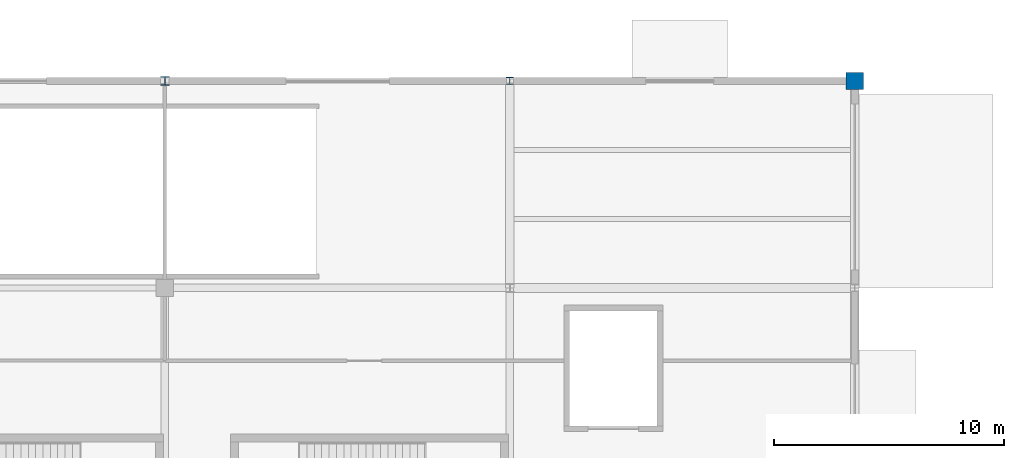
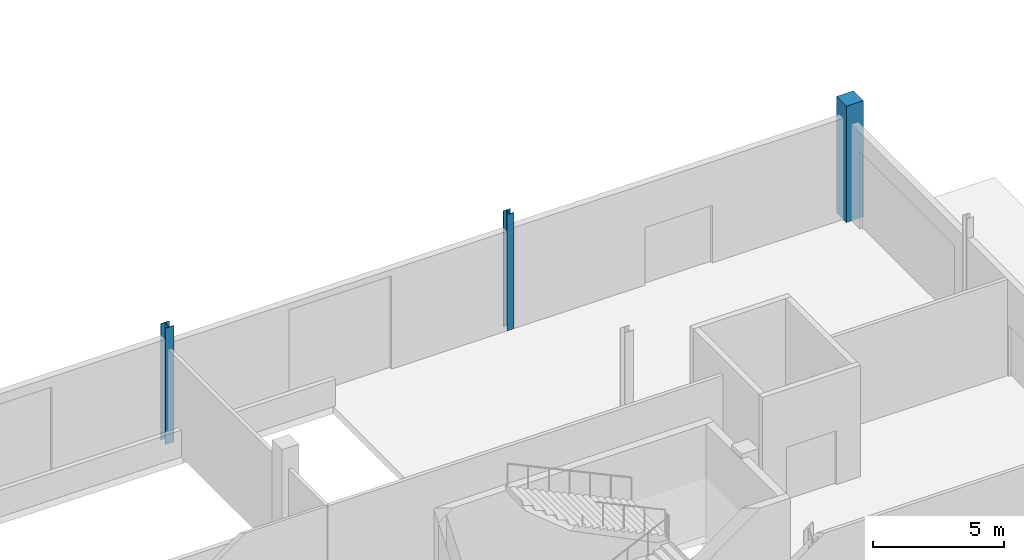
# One storey, part 25 of 94: 3 columns.
"""IFC4 building model written with IfcOpenShell, lengths in metres."""

from ifc_helpers import new_model, si_unit, direction, frame, origin, origin_2d, place, context, subcontext, project, spatial, rectangle, i_section, extrude, material, material_profile, profile_set, type_object, element, save


model = new_model("IFC4")

# Units and contexts
model_context = context("Model", 3, precision=1e-05, world=origin(), true_north=direction((0.0, 1.0)))
body_context = subcontext(model_context, "Body", "Model", "MODEL_VIEW")
ifc_project = project(units=[si_unit("LENGTHUNIT", "METRE"), si_unit("AREAUNIT", "SQUARE_METRE"), si_unit("VOLUMEUNIT", "CUBIC_METRE"), si_unit("PLANEANGLEUNIT", "RADIAN"), si_unit("MASSUNIT", "GRAM", prefix="KILO")], contexts=[model_context])

# Site, building, storey
site_placement = place(None, origin())
site = spatial("IfcSite", under=ifc_project, at=site_placement, CompositionType="ELEMENT")
building_placement = place(site_placement, origin())
building = spatial("IfcBuilding", under=site, at=building_placement, Name="Qamarlyn Nura Convention Centre", CompositionType="ELEMENT")
storey_placement = place(building_placement, origin())
storey = spatial("IfcBuildingStorey", under=building, at=storey_placement, Name="L00", CompositionType="ELEMENT", Elevation=0.0)

# Columns
ifc_material_1 = material(Name="Concrete C50/60", Category="concrete")
ifc_material_profile_1 = material_profile(ifc_material_1, rectangle(XDim=0.75, YDim=0.75, at=origin_2d()), Name="RC 750x750")
ifc_profile_set_1 = profile_set([ifc_material_profile_1], Name="Concrete C50/60")
column_type_1 = type_object("IfcColumnType", Name="COL-SUB-2", PredefinedType="COLUMN", material=ifc_profile_set_1)
column_1_placement = place(storey_placement, frame((90.0, 126.0, 0.0), z_axis=(0.0, 0.0, 1.0), x_axis=(1.0, 0.0, 0.0)))
element("IfcColumn", 1, at=column_1_placement, inside=storey, type_object=column_type_1, Name="L00 column 7/Q", PredefinedType="COLUMN", context=body_context, shape_type="SweptSolid", body=[
    extrude(rectangle(XDim=0.75, YDim=0.75, at=origin_2d()), origin(), (0.0, 0.0, 1.0), 5.39990234375),
])
ifc_material_2 = material(Name="Steel ASTM A992", Category="steel")
ifc_material_profile_2 = material_profile(ifc_material_2, i_section(OverallWidth=0.3740234375, OverallDepth=0.3720703125, WebThickness=0.016357421875, FlangeThickness=0.026123046875, FilletRadius=0.01611328125, at=origin_2d()), Name="W360X196")
ifc_profile_set_2 = profile_set([ifc_material_profile_2], Name="Steel ASTM A992")
column_type_2 = type_object("IfcColumnType", Name="COL-WING-2", PredefinedType="COLUMN", material=ifc_profile_set_2)
column_2_placement = place(storey_placement, frame((60.0, 126.0, 0.0), z_axis=(0.0, 0.0, 1.0), x_axis=(1.0, 0.0, 0.0)))
element("IfcColumn", 2, at=column_2_placement, inside=storey, type_object=column_type_2, Name="L00 column 5/Q", PredefinedType="COLUMN", context=body_context, shape_type="SweptSolid", body=[
    extrude(i_section(OverallWidth=0.3740234375, OverallDepth=0.3720703125, WebThickness=0.016357421875, FlangeThickness=0.026123046875, FilletRadius=0.01611328125, at=origin_2d()), origin(), (0.0, 0.0, 1.0), 5.39990234375),
])
ifc_material_profile_3 = material_profile(ifc_material_2, i_section(OverallWidth=0.304931640625, OverallDepth=0.30810546875, WebThickness=0.010009765625, FlangeThickness=0.015380859375, FilletRadius=0.014892578125, at=origin_2d()), Name="W310X97")
ifc_profile_set_3 = profile_set([ifc_material_profile_3], Name="Steel ASTM A992")
column_type_3 = type_object("IfcColumnType", Name="COL-WING-4", PredefinedType="COLUMN", material=ifc_profile_set_3)
column_3_placement = place(storey_placement, frame((75.0, 126.0, 0.0), z_axis=(0.0, 0.0, 1.0), x_axis=(1.0, 0.0, 0.0)))
element("IfcColumn", 3, at=column_3_placement, inside=storey, type_object=column_type_3, Name="L00 column 6/Q", PredefinedType="COLUMN", context=body_context, shape_type="SweptSolid", body=[
    extrude(i_section(OverallWidth=0.304931640625, OverallDepth=0.30810546875, WebThickness=0.010009765625, FlangeThickness=0.015380859375, FilletRadius=0.014892578125, at=origin_2d()), origin(), (0.0, 0.0, 1.0), 5.39990234375),
])

save(model, "model.ifc")
